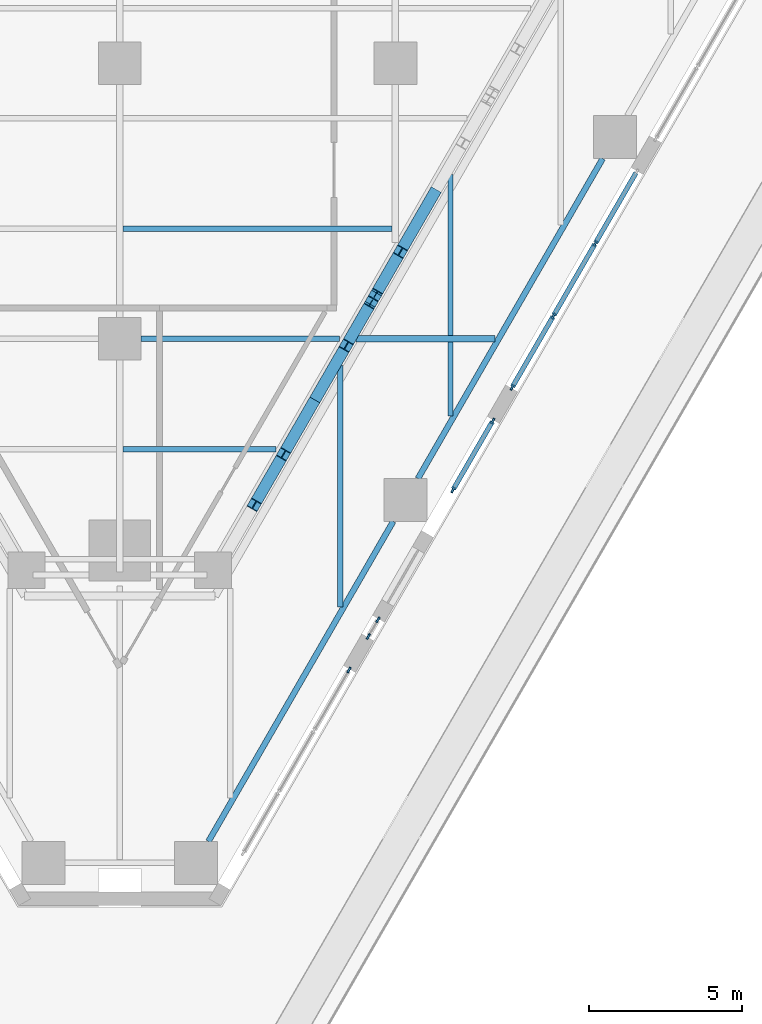
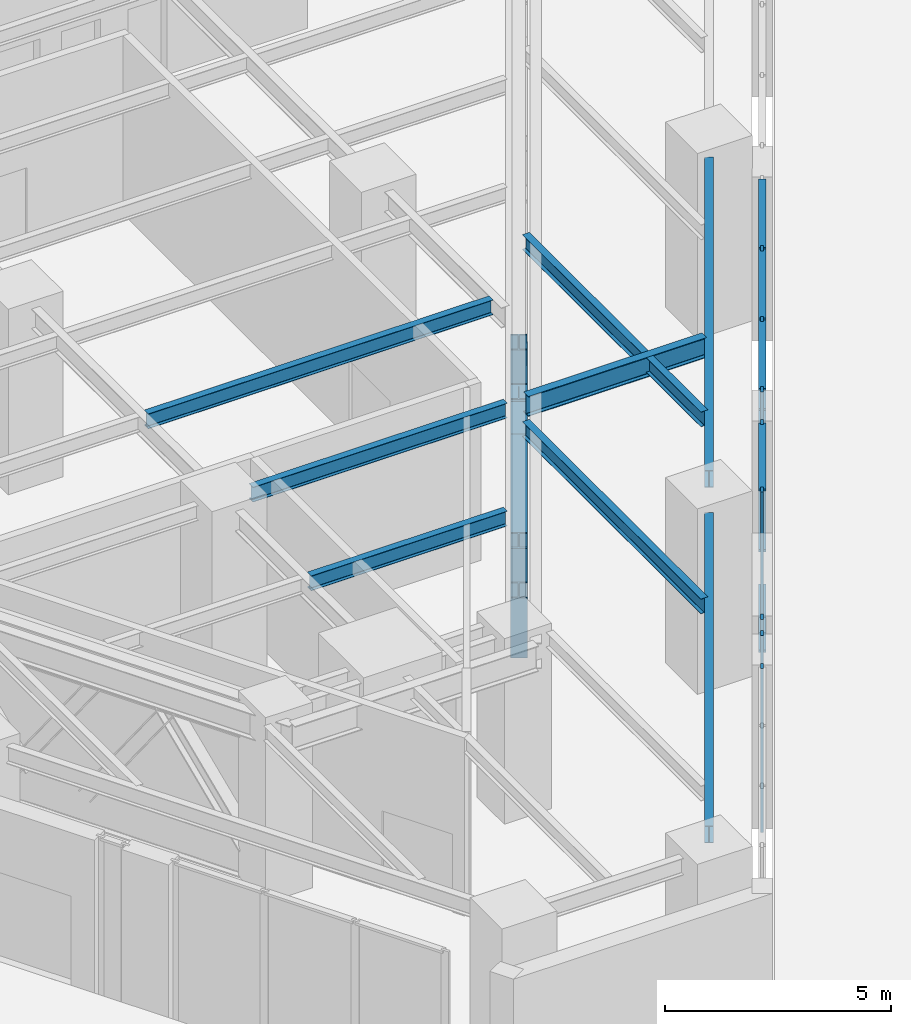
# One storey, part 3 of 25: 22 members, 9 beams, 4 elements without a shape of their own.
"""IFC4 building model written with IfcOpenShell, lengths in metres."""

from ifc_helpers import new_model, si_unit, direction, frame, origin, origin_2d, place, context, subcontext, project, spatial, rectangle, i_section, extrude, material, material_profile, profile_set, type_object, element, aggregate, save


model = new_model("IFC4")

# Units and contexts
model_context = context("Model", 3, precision=1e-05, world=origin(), true_north=direction((0.0, 1.0)))
body_context = subcontext(model_context, "Body", "Model", "MODEL_VIEW")
ifc_project = project(units=[si_unit("LENGTHUNIT", "METRE"), si_unit("AREAUNIT", "SQUARE_METRE"), si_unit("VOLUMEUNIT", "CUBIC_METRE"), si_unit("PLANEANGLEUNIT", "RADIAN"), si_unit("MASSUNIT", "GRAM", prefix="KILO")], contexts=[model_context])

# Site, building, storey
site_placement = place(None, origin())
site = spatial("IfcSite", under=ifc_project, at=site_placement, CompositionType="ELEMENT")
building_placement = place(site_placement, origin())
building = spatial("IfcBuilding", under=site, at=building_placement, Name="Aloe Facet Convention Tower", CompositionType="ELEMENT")
storey_placement = place(building_placement, frame((0.0, 0.0, 30.0)))
storey = spatial("IfcBuildingStorey", under=building, at=storey_placement, Name="L05", CompositionType="ELEMENT", Elevation=30.0)

# Curtain wall, member
ifc_material_1 = material(Name="Aluminium, anodised", Category="aluminium")
curtain_wall_type = type_object("IfcCurtainWallType", Name="EV-CW-HALL", PredefinedType="USERDEFINED", material=ifc_material_1)
curtain_wall_1_placement = place(storey_placement, origin())
curtain_wall_1 = element("IfcCurtainWall", 1, at=curtain_wall_1_placement, inside=storey, type_object=curtain_wall_type, Name="CW-L05-E02", ObjectType="UNITISED HALL GLAZING", PredefinedType="USERDEFINED")
ifc_material_2 = material(Name="Aluminium, anodised", Category="aluminium")
ifc_material_profile_1 = material_profile(ifc_material_2, rectangle(XDim=0.06494140625, YDim=0.199951171875, at=origin_2d()), Name="AL 65x200")
ifc_profile_set_1 = profile_set([ifc_material_profile_1], Name="Aluminium, anodised")
member_type_1 = type_object("IfcMemberType", Name="EV-MULL-HALL", PredefinedType="MULLION", material=ifc_profile_set_1)
member_1_placement = place(storey_placement, frame((87.484375, 88.18408203125, -0.300048828125), z_axis=(0.0, 0.0, 1.0), x_axis=(-0.866025403776, 0.500000000015, 0.0)))
member_1 = element("IfcMember", 2, at=member_1_placement, type_object=member_type_1, Name="CW-L05-E02 mullion 4", PredefinedType="MULLION", context=body_context, shape_type="SweptSolid", body=[
    extrude(rectangle(XDim=0.06494140625, YDim=0.199951171875, at=origin_2d()), origin(), (0.0, 0.0, 1.0), 4.41259765625),
])
aggregate(curtain_wall_1, [member_1])

# Curtain wall, members
curtain_wall_2_placement = place(storey_placement, origin())
curtain_wall_2 = element("IfcCurtainWall", 3, at=curtain_wall_2_placement, inside=storey, type_object=curtain_wall_type, Name="CW-L05-E04A", ObjectType="UNITISED HALL GLAZING", PredefinedType="USERDEFINED")
member_2_placement = place(storey_placement, frame((88.116943359375, 89.279541015625, -0.300048828125), z_axis=(0.0, 0.0, 1.0), x_axis=(-0.866025403898, 0.499999999804, 0.0)))
member_2 = element("IfcMember", 4, at=member_2_placement, type_object=member_type_1, Name="CW-L05-E04A mullion 1", PredefinedType="MULLION", context=body_context, shape_type="SweptSolid", body=[
    extrude(rectangle(XDim=0.06494140625, YDim=0.199951171875, at=origin_2d()), origin(), (0.0, 0.0, 1.0), 4.41259765625),
])
member_3_placement = place(storey_placement, frame((88.432373046875, 89.82568359375, -0.300048828125), z_axis=(0.0, 0.0, 1.0), x_axis=(-0.866025403898, 0.499999999804, 0.0)))
member_3 = element("IfcMember", 5, at=member_3_placement, type_object=member_type_1, Name="CW-L05-E04A mullion 2", PredefinedType="MULLION", context=body_context, shape_type="SweptSolid", body=[
    extrude(rectangle(XDim=0.06494140625, YDim=0.199951171875, at=origin_2d()), origin(), (0.0, 0.0, 1.0), 4.41259765625),
])
aggregate(curtain_wall_2, [member_2, member_3])

curtain_wall_3_placement = place(storey_placement, origin())
curtain_wall_3 = element("IfcCurtainWall", 6, at=curtain_wall_3_placement, inside=storey, type_object=curtain_wall_type, Name="CW-L05-E04B", ObjectType="UNITISED HALL GLAZING", PredefinedType="USERDEFINED")
member_4_placement = place(storey_placement, frame((90.879150390625, 94.06396484375, -0.300048828125), z_axis=(0.0, 0.0, 1.0), x_axis=(-0.866025403854, 0.499999999879, 0.0)))
member_4 = element("IfcMember", 7, at=member_4_placement, type_object=member_type_1, Name="CW-L05-E04B mullion 1", PredefinedType="MULLION", context=body_context, shape_type="SweptSolid", body=[
    extrude(rectangle(XDim=0.06494140625, YDim=0.199951171875, at=origin_2d()), origin(), (0.0, 0.0, 1.0), 4.41259765625),
])
member_5_placement = place(storey_placement, frame((92.18017578125, 96.31689453125, -0.300048828125), z_axis=(0.0, 0.0, 1.0), x_axis=(-0.866025403854, 0.499999999879, 0.0)))
member_5 = element("IfcMember", 8, at=member_5_placement, type_object=member_type_1, Name="CW-L05-E04B mullion 2", PredefinedType="MULLION", context=body_context, shape_type="SweptSolid", body=[
    extrude(rectangle(XDim=0.06494140625, YDim=0.199951171875, at=origin_2d()), origin(), (0.0, 0.0, 1.0), 4.41259765625),
])

curtain_wall_4_placement = place(storey_placement, origin())
curtain_wall_4 = element("IfcCurtainWall", 9, at=curtain_wall_4_placement, inside=storey, type_object=curtain_wall_type, Name="CW-L05-E06", ObjectType="UNITISED HALL GLAZING", PredefinedType="USERDEFINED")
member_6_placement = place(storey_placement, frame((92.8125, 97.41259765625, -0.300048828125), z_axis=(0.0, 0.0, 1.0), x_axis=(-0.866025403784, 0.5, 0.0)))
member_6 = element("IfcMember", 10, at=member_6_placement, type_object=member_type_1, Name="CW-L05-E06 mullion 1", PredefinedType="MULLION", context=body_context, shape_type="SweptSolid", body=[
    extrude(rectangle(XDim=0.06494140625, YDim=0.199951171875, at=origin_2d()), origin(), (0.0, 0.0, 1.0), 4.41259765625),
])
member_7_placement = place(storey_placement, frame((94.16162109375, 99.7490234375, -0.300048828125), z_axis=(0.0, 0.0, 1.0), x_axis=(-0.866025403784, 0.5, 0.0)))
member_7 = element("IfcMember", 11, at=member_7_placement, type_object=member_type_1, Name="CW-L05-E06 mullion 2", PredefinedType="MULLION", context=body_context, shape_type="SweptSolid", body=[
    extrude(rectangle(XDim=0.06494140625, YDim=0.199951171875, at=origin_2d()), origin(), (0.0, 0.0, 1.0), 4.41259765625),
])
member_8_placement = place(storey_placement, frame((95.526611328125, 102.113525390625, -0.300048828125), z_axis=(0.0, 0.0, 1.0), x_axis=(-0.866025403784, 0.5, 0.0)))
member_8 = element("IfcMember", 12, at=member_8_placement, type_object=member_type_1, Name="CW-L05-E06 mullion 3", PredefinedType="MULLION", context=body_context, shape_type="SweptSolid", body=[
    extrude(rectangle(XDim=0.06494140625, YDim=0.199951171875, at=origin_2d()), origin(), (0.0, 0.0, 1.0), 4.41259765625),
])

# Member
ifc_material_3 = material(Name="Aluminium, anodised", Category="aluminium")
ifc_material_profile_2 = material_profile(ifc_material_3, rectangle(XDim=0.159912109375, YDim=0.06494140625, at=origin_2d()), Name="AL 160x65")
ifc_profile_set_2 = profile_set([ifc_material_profile_2], Name="Aluminium, anodised")
member_type_2 = type_object("IfcMemberType", Name="EV-TRAN-HALL", PredefinedType="USERDEFINED", material=ifc_profile_set_2)
member_9_placement = place(storey_placement, frame((90.8955078125, 94.092041015625, -0.267578125), z_axis=(0.500000164425, 0.866025308854, 0.0), x_axis=(-0.866025308854, 0.500000164425, 0.0)))
member_9 = element("IfcMember", 13, at=member_9_placement, type_object=member_type_2, Name="CW-L05-E04B transom 1.1", ObjectType="TRANSOM", PredefinedType="USERDEFINED", context=body_context, shape_type="SweptSolid", body=[
    extrude(rectangle(XDim=0.159912109375, YDim=0.06494140625, at=origin_2d()), origin(), (0.0, 0.0, 1.0), 2.53662109375),
])

member_10_placement = place(storey_placement, frame((90.8955078125, 94.092041015625, 4.080078125), z_axis=(0.500000164425, 0.866025308854, 0.0), x_axis=(-0.866025308854, 0.500000164425, 0.0)))
member_10 = element("IfcMember", 14, at=member_10_placement, type_object=member_type_2, Name="CW-L05-E04B transom 1.2", ObjectType="TRANSOM", PredefinedType="USERDEFINED", context=body_context, shape_type="SweptSolid", body=[
    extrude(rectangle(XDim=0.159912109375, YDim=0.06494140625, at=origin_2d()), origin(), (0.0, 0.0, 1.0), 2.53662109375),
])

aggregate(curtain_wall_3, [member_4, member_5, member_9, member_10])

member_11_placement = place(storey_placement, frame((92.828857421875, 97.440673828125, -0.267578125), z_axis=(0.499968599967, 0.866043531843, 0.0), x_axis=(-0.866043531843, 0.499968599967, 0.0)))
member_11 = element("IfcMember", 15, at=member_11_placement, type_object=member_type_2, Name="CW-L05-E06 transom 1.1", ObjectType="TRANSOM", PredefinedType="USERDEFINED", context=body_context, shape_type="SweptSolid", body=[
    extrude(rectangle(XDim=0.159912109375, YDim=0.06494140625, at=origin_2d()), origin(), (0.0, 0.0, 1.0), 2.633056640625),
])

member_12_placement = place(storey_placement, frame((92.828857421875, 97.440673828125, 4.080078125), z_axis=(0.499968599967, 0.866043531843, 0.0), x_axis=(-0.866043531843, 0.499968599967, 0.0)))
member_12 = element("IfcMember", 16, at=member_12_placement, type_object=member_type_2, Name="CW-L05-E06 transom 1.2", ObjectType="TRANSOM", PredefinedType="USERDEFINED", context=body_context, shape_type="SweptSolid", body=[
    extrude(rectangle(XDim=0.159912109375, YDim=0.06494140625, at=origin_2d()), origin(), (0.0, 0.0, 1.0), 2.633056640625),
])

member_13_placement = place(storey_placement, frame((94.177734375, 99.777099609375, -0.267578125), z_axis=(0.500010524421, 0.866019327422, 0.0), x_axis=(-0.866019327422, 0.500010524421, 0.0)))
member_13 = element("IfcMember", 17, at=member_13_placement, type_object=member_type_2, Name="CW-L05-E06 transom 2.1", ObjectType="TRANSOM", PredefinedType="USERDEFINED", context=body_context, shape_type="SweptSolid", body=[
    extrude(rectangle(XDim=0.159912109375, YDim=0.06494140625, at=origin_2d()), origin(), (0.0, 0.0, 1.0), 2.66552734375),
])

member_14_placement = place(storey_placement, frame((94.177734375, 99.777099609375, 4.080078125), z_axis=(0.500010524421, 0.866019327422, 0.0), x_axis=(-0.866019327422, 0.500010524421, 0.0)))
member_14 = element("IfcMember", 18, at=member_14_placement, type_object=member_type_2, Name="CW-L05-E06 transom 2.2", ObjectType="TRANSOM", PredefinedType="USERDEFINED", context=body_context, shape_type="SweptSolid", body=[
    extrude(rectangle(XDim=0.159912109375, YDim=0.06494140625, at=origin_2d()), origin(), (0.0, 0.0, 1.0), 2.66552734375),
])

member_15_placement = place(storey_placement, frame((95.54296875, 102.1416015625, -0.267578125), z_axis=(0.499968599967, 0.866043531843, 0.0), x_axis=(-0.866043531843, 0.499968599967, 0.0)))
member_15 = element("IfcMember", 19, at=member_15_placement, type_object=member_type_2, Name="CW-L05-E06 transom 3.1", ObjectType="TRANSOM", PredefinedType="USERDEFINED", context=body_context, shape_type="SweptSolid", body=[
    extrude(rectangle(XDim=0.159912109375, YDim=0.06494140625, at=origin_2d()), origin(), (0.0, 0.0, 1.0), 2.633056640625),
])

member_16_placement = place(storey_placement, frame((95.54296875, 102.1416015625, 4.080078125), z_axis=(0.499968599967, 0.866043531843, 0.0), x_axis=(-0.866043531843, 0.499968599967, 0.0)))
member_16 = element("IfcMember", 20, at=member_16_placement, type_object=member_type_2, Name="CW-L05-E06 transom 3.2", ObjectType="TRANSOM", PredefinedType="USERDEFINED", context=body_context, shape_type="SweptSolid", body=[
    extrude(rectangle(XDim=0.159912109375, YDim=0.06494140625, at=origin_2d()), origin(), (0.0, 0.0, 1.0), 2.633056640625),
])

aggregate(curtain_wall_4, [member_6, member_7, member_8, member_11, member_12, member_13, member_14, member_15, member_16])

# Beams
ifc_material_4 = material(Name="Steel S355", Category="steel")
ifc_material_profile_3 = material_profile(ifc_material_4, i_section(OverallWidth=0.177734375, OverallDepth=0.402587890625, WebThickness=0.0078125, FlangeThickness=0.010986328125, FilletRadius=0.01025390625, at=origin_2d()), Name="UB 406x178x54")
ifc_profile_set_3 = profile_set([ifc_material_profile_3], Name="Steel S355")
beam_type_1 = type_object("IfcBeamType", Name="SF-B-UB406x178x54", PredefinedType="BEAM", material=ifc_profile_set_3)
beam_1_placement = place(storey_placement, frame((87.199951171875, 90.2412109375, 4.5986328125), z_axis=(0.0, 1.0, 0.0), x_axis=(-1.0, 0.0, 0.0)))
element("IfcBeam", 21, at=beam_1_placement, inside=storey, type_object=beam_type_1, Name="Floor beam FB-L06-831", PredefinedType="BEAM", context=body_context, shape_type="SweptSolid", body=[
    extrude(i_section(OverallWidth=0.177734375, OverallDepth=0.402587890625, WebThickness=0.0078125, FlangeThickness=0.010986328125, FilletRadius=0.01025390625, at=origin_2d()), origin(), (0.0, 0.0, 1.0), 7.884765625),
])
beam_2_placement = place(storey_placement, frame((90.800048828125, 96.4765625, 4.5986328125), z_axis=(0.0, 1.0, 0.0), x_axis=(-1.0, 0.0, 0.0)))
element("IfcBeam", 22, at=beam_2_placement, inside=storey, type_object=beam_type_1, Name="Floor beam FB-L06-832", PredefinedType="BEAM", context=body_context, shape_type="SweptSolid", body=[
    extrude(i_section(OverallWidth=0.177734375, OverallDepth=0.402587890625, WebThickness=0.0078125, FlangeThickness=0.010986328125, FilletRadius=0.01025390625, at=origin_2d()), origin(), (0.0, 0.0, 1.0), 2.41796875),
])
beam_3_placement = place(storey_placement, frame((90.800048828125, 99.10546875, 4.5986328125), z_axis=(0.0, 1.0, 0.0), x_axis=(-1.0, 0.0, 0.0)))
element("IfcBeam", 23, at=beam_3_placement, inside=storey, type_object=beam_type_1, Name="Floor beam FB-L06-833", PredefinedType="BEAM", context=body_context, shape_type="SweptSolid", body=[
    extrude(i_section(OverallWidth=0.177734375, OverallDepth=0.402587890625, WebThickness=0.0078125, FlangeThickness=0.010986328125, FilletRadius=0.01025390625, at=origin_2d()), origin(), (0.0, 0.0, 1.0), 5.255859375),
])
beam_4_placement = place(storey_placement, frame((80.10546875, 95.39990234375, 4.5986328125), z_axis=(1.0, 0.0, 0.0), x_axis=(0.0, 1.0, 0.0)))
element("IfcBeam", 24, at=beam_4_placement, inside=storey, type_object=beam_type_1, Name="Floor beam FB-Z1A-034", PredefinedType="BEAM", context=body_context, shape_type="SweptSolid", body=[
    extrude(i_section(OverallWidth=0.177734375, OverallDepth=0.402587890625, WebThickness=0.0078125, FlangeThickness=0.010986328125, FilletRadius=0.01025390625, at=origin_2d()), origin(), (0.0, 0.0, 1.0), 4.993896484375),
])
beam_5_placement = place(storey_placement, frame((80.10546875, 102.60009765625, 4.5986328125), z_axis=(1.0, 0.0, 0.0), x_axis=(0.0, 1.0, 0.0)))
element("IfcBeam", 25, at=beam_5_placement, inside=storey, type_object=beam_type_1, Name="Floor beam FB-Z1A-035", PredefinedType="BEAM", context=body_context, shape_type="SweptSolid", body=[
    extrude(i_section(OverallWidth=0.177734375, OverallDepth=0.402587890625, WebThickness=0.0078125, FlangeThickness=0.010986328125, FilletRadius=0.01025390625, at=origin_2d()), origin(), (0.0, 0.0, 1.0), 8.7890625),
])
beam_6_placement = place(storey_placement, frame((80.699951171875, 99.0, 4.5986328125), z_axis=(1.0, 0.0, 0.0), x_axis=(0.0, 1.0, 0.0)))
element("IfcBeam", 26, at=beam_6_placement, inside=storey, type_object=beam_type_1, Name="Floor beam FB-Z1A-039", PredefinedType="BEAM", context=body_context, shape_type="SweptSolid", body=[
    extrude(i_section(OverallWidth=0.177734375, OverallDepth=0.402587890625, WebThickness=0.0078125, FlangeThickness=0.010986328125, FilletRadius=0.01025390625, at=origin_2d()), origin(), (0.0, 0.0, 1.0), 6.477783203125),
])
ifc_material_5 = material(Name="Steel S355", Category="steel")
ifc_material_profile_4 = material_profile(ifc_material_5, i_section(OverallWidth=0.18994140625, OverallDepth=0.453369140625, WebThickness=0.008544921875, FlangeThickness=0.0126953125, FilletRadius=0.01025390625, at=origin_2d()), Name="UB 457x191x67")
ifc_profile_set_4 = profile_set([ifc_material_profile_4], Name="Steel S355")
beam_type_2 = type_object("IfcBeamType", Name="SF-B-UB457x191x67", PredefinedType="BEAM", material=ifc_profile_set_4)
beam_7_placement = place(storey_placement, frame((88.928955078125, 93.035888671875, 4.5732421875), z_axis=(-0.499995089893, -0.866028238617, 0.0), x_axis=(0.866028238617, -0.499995089893, 0.0)))
element("IfcBeam", 27, at=beam_7_placement, inside=storey, type_object=beam_type_2, Name="Floor beam FB-L06-808", PredefinedType="BEAM", context=body_context, shape_type="SweptSolid", body=[
    extrude(i_section(OverallWidth=0.18994140625, OverallDepth=0.453369140625, WebThickness=0.008544921875, FlangeThickness=0.0126953125, FilletRadius=0.01025390625, at=origin_2d()), origin(), (0.0, 0.0, 1.0), 12.06640625),
])
beam_8_placement = place(storey_placement, frame((95.77001953125, 104.885009765625, 4.5732421875), z_axis=(-0.49999978494, -0.86602552795, 0.0), x_axis=(0.86602552795, -0.49999978494, 0.0)))
element("IfcBeam", 28, at=beam_8_placement, inside=storey, type_object=beam_type_2, Name="Floor beam FB-L06-809", PredefinedType="BEAM", context=body_context, shape_type="SweptSolid", body=[
    extrude(i_section(OverallWidth=0.18994140625, OverallDepth=0.453369140625, WebThickness=0.008544921875, FlangeThickness=0.0126953125, FilletRadius=0.01025390625, at=origin_2d()), origin(), (0.0, 0.0, 1.0), 12.0654296875),
])
ifc_material_6 = material(Name="Steel S355", Category="steel")
ifc_material_profile_5 = material_profile(ifc_material_6, i_section(OverallWidth=0.210693359375, OverallDepth=0.53955078125, WebThickness=0.01171875, FlangeThickness=0.018798828125, FilletRadius=0.0126953125, at=origin_2d()), Name="UB 533x210x109")
ifc_profile_set_5 = profile_set([ifc_material_profile_5], Name="Steel S355")
beam_type_3 = type_object("IfcBeamType", Name="SF-B-UB533x210x109", PredefinedType="BEAM", material=ifc_profile_set_5)
beam_9_placement = place(storey_placement, frame((87.708984375, 99.0, 4.5302734375), z_axis=(1.0, 0.0, 0.0), x_axis=(0.0, 1.0, 0.0)))
element("IfcBeam", 29, at=beam_9_placement, inside=storey, type_object=beam_type_3, Name="Floor beam FB-L06-816", PredefinedType="BEAM", context=body_context, shape_type="SweptSolid", body=[
    extrude(i_section(OverallWidth=0.210693359375, OverallDepth=0.53955078125, WebThickness=0.01171875, FlangeThickness=0.018798828125, FilletRadius=0.0126953125, at=origin_2d()), origin(), (0.0, 0.0, 1.0), 4.543701171875),
])

# Members
ifc_material_7 = material(Name="Steel S355", Category="steel")
ifc_material_profile_6 = material_profile(ifc_material_7, i_section(OverallWidth=0.374755859375, OverallDepth=0.37451171875, WebThickness=0.0166015625, FlangeThickness=0.027099609375, FilletRadius=0.01513671875, at=origin_2d()), Name="UC 356x368x202")
ifc_profile_set_6 = profile_set([ifc_material_profile_6], Name="Steel S355")
member_type_3 = type_object("IfcMemberType", Name="SF-W-UC356x368x202", PredefinedType="BRACE", material=ifc_profile_set_6)
for number, where, z_axis, x_axis, name in (
    (30, (84.39111328125, 93.576171875, 3.97412109375), (0.285304587634, 0.49418830358, -0.821205950344), (-0.866036909293, 0.499980071345, 0.0), "Transfer ring diagonal TW-F3-02"),
    (31, (85.345947265625, 95.22998046875, 3.97412109375), (0.285304587634, 0.49418830358, -0.821205950344), (-0.866036909293, 0.499980071345, 0.0), "Transfer ring diagonal TW-F3-03"),
    (32, (86.30078125, 96.8837890625, 0.825927734375), (0.285363086299, 0.49417932374, 0.821191028303), (-0.865988583845, 0.500063768584, 0.0), "Transfer ring diagonal TW-F3-04"),
    (33, (87.255615234375, 98.53759765625, 0.825927734375), (0.285354105547, 0.494227452165, 0.821165184341), (-0.866016486034, 0.500015445679, 0.0), "Transfer ring diagonal TW-F3-05"),
    (34, (88.21044921875, 100.19140625, 3.97412109375), (0.285354105547, 0.494227452165, -0.821165184341), (-0.866016486034, 0.500015445679, 0.0), "Transfer ring diagonal TW-F3-06"),
    (35, (89.165283203125, 101.845458984375, 3.97412109375), (0.285363086299, 0.49417932374, -0.821191028303), (-0.865988583845, 0.500063768584, 0.0), "Transfer ring diagonal TW-F3-07"),
):
    element("IfcMember", number, at=place(storey_placement, frame(where, z_axis=z_axis, x_axis=x_axis)), inside=storey, type_object=member_type_3, Name=name, PredefinedType="BRACE", context=body_context, shape_type="SweptSolid", body=[
        extrude(i_section(OverallWidth=0.374755859375, OverallDepth=0.37451171875, WebThickness=0.0166015625, FlangeThickness=0.027099609375, FilletRadius=0.01513671875, at=origin_2d()), origin(), (0.0, 0.0, 1.0), 3.833740234375),
    ])

save(model, "model.ifc")
